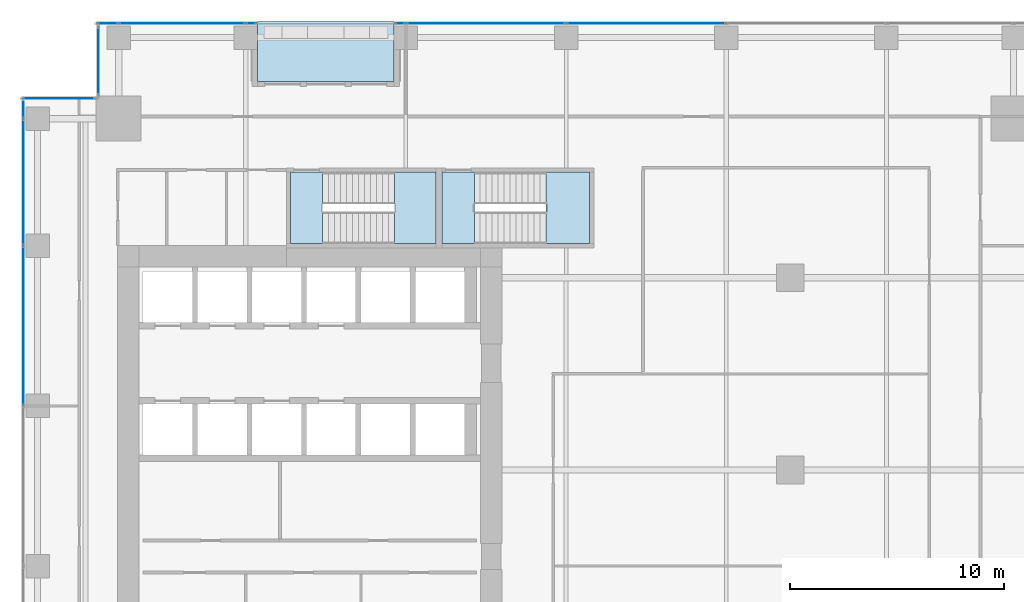
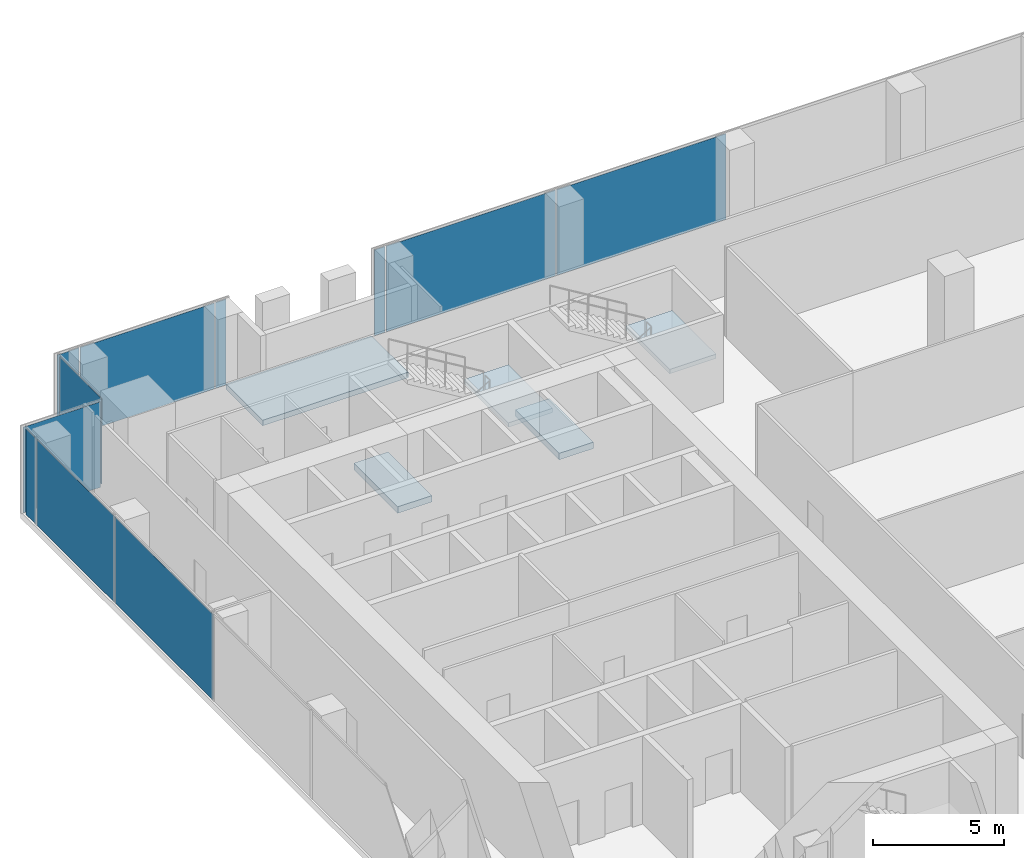
# One storey, part 26 of 34: 11 plates, 5 slabs, 7 elements without a shape of their own.
"""IFC4 building model written with IfcOpenShell, lengths in metres."""

from ifc_helpers import new_model, si_unit, direction, frame, origin, origin_2d, place, context, subcontext, project, spatial, polyline, rectangle, outline, extrude, source, transform, mapped, material, layer, layer_set, type_object, element, aggregate, save


model = new_model("IFC4")

# Units and contexts
model_context = context("Model", 3, precision=1e-05, world=origin(), true_north=direction((0.0, 1.0)))
body_context = subcontext(model_context, "Body", "Model", "MODEL_VIEW")
ifc_project = project(units=[si_unit("LENGTHUNIT", "METRE"), si_unit("AREAUNIT", "SQUARE_METRE"), si_unit("VOLUMEUNIT", "CUBIC_METRE"), si_unit("PLANEANGLEUNIT", "RADIAN"), si_unit("MASSUNIT", "GRAM", prefix="KILO")], contexts=[model_context])

# Site, building, storey
site_placement = place(None, origin())
site = spatial("IfcSite", under=ifc_project, at=site_placement, CompositionType="ELEMENT")
building_placement = place(site_placement, origin())
building = spatial("IfcBuilding", under=site, at=building_placement, Name="Khomas Fold Tower", CompositionType="ELEMENT")
storey_placement = place(building_placement, frame((0.0, 0.0, 110.300048828125)))
storey = spatial("IfcBuildingStorey", under=building, at=storey_placement, Name="L23", CompositionType="ELEMENT", Elevation=110.300048828125)

# Curtain wall, plate
ifc_material_1 = material(Name="Aluminium framed double glazing", Category="aluminium")
curtain_wall_type = type_object("IfcCurtainWallType", Name="SK-Unitised clear-glass wall, growing floors CW1", PredefinedType="NOTDEFINED", material=ifc_material_1)
curtain_wall_1_placement = place(storey_placement, origin())
curtain_wall_1 = element("IfcCurtainWall", 1, at=curtain_wall_1_placement, inside=storey, type_object=curtain_wall_type, Name="CW1 run L23 09-0", PredefinedType="NOTDEFINED")
ifc_material_2 = material(Name="Clear double glazed unit")
ifc_layer_1 = layer(ifc_material_2, 0.031982421875)
ifc_layer_set_1 = layer_set([ifc_layer_1], Name="Clear double glazed unit")
plate_type = type_object("IfcPlateType", Name="SK-Unitised clear-glass wall, growing floors glass panel CW1-P", PredefinedType="CURTAIN_PANEL", material=ifc_layer_set_1)
shared_shape_1 = source(origin(), body_context, "Body", "SweptSolid", [
    extrude(rectangle(XDim=0.760009765625, YDim=0.031982421875, at=origin_2d()), origin(), (0.0, 0.0, 1.0), 3.97998046875),
])
plate_1_placement = place(storey_placement, frame((1.60009765625, 48.360107421875, 0.0), z_axis=(0.0, 0.0, 1.0), x_axis=(0.0, -1.0, 0.0)))
plate_1 = element("IfcPlate", 2, at=plate_1_placement, type_object=plate_type, Name="CW1 glass panel 1", PredefinedType="CURTAIN_PANEL", context=body_context, shape_type="MappedRepresentation", body=[
    mapped(shared_shape_1, transform((0.0, 0.0, 0.0))),
])

curtain_wall_2_placement = place(storey_placement, origin())
curtain_wall_2 = element("IfcCurtainWall", 3, at=curtain_wall_2_placement, inside=storey, type_object=curtain_wall_type, Name="CW1 run L23 06-1", PredefinedType="NOTDEFINED")
shared_shape_2 = source(origin(), body_context, "Body", "SweptSolid", [
    extrude(rectangle(XDim=5.889892578125, YDim=0.031982421875, at=origin_2d()), origin(), (0.0, 0.0, 1.0), 3.97998046875),
])
plate_2_placement = place(storey_placement, frame((9.02490234375, 52.39990234375, 0.0), z_axis=(0.0, 0.0, 1.0), x_axis=(-1.0, 0.0, 0.0)))
plate_2 = element("IfcPlate", 4, at=plate_2_placement, type_object=plate_type, Name="CW1 glass panel 2", PredefinedType="CURTAIN_PANEL", context=body_context, shape_type="MappedRepresentation", body=[
    mapped(shared_shape_2, transform((0.0, 0.0, 0.0))),
])

# Plate
plate_3_placement = place(storey_placement, frame((1.60009765625, 44.97509765625, 0.0), z_axis=(0.0, 0.0, 1.0), x_axis=(0.0, -1.0, 0.0)))
plate_3 = element("IfcPlate", 5, at=plate_3_placement, type_object=plate_type, Name="CW1 glass panel 2", PredefinedType="CURTAIN_PANEL", context=body_context, shape_type="MappedRepresentation", body=[
    mapped(shared_shape_2, transform((0.0, 0.0, 0.0))),
])

# Curtain wall, plates
curtain_wall_3_placement = place(storey_placement, origin())
curtain_wall_3 = element("IfcCurtainWall", 6, at=curtain_wall_3_placement, inside=storey, type_object=curtain_wall_type, Name="CW1 run L23 06-0", PredefinedType="NOTDEFINED")
shared_shape_3 = source(origin(), body_context, "Body", "SweptSolid", [
    extrude(rectangle(XDim=7.43994140625, YDim=0.031982421875, at=origin_2d()), origin(), (0.0, 0.0, 1.0), 3.97998046875),
])
plate_4_placement = place(storey_placement, frame((30.75, 52.39990234375, 0.0), z_axis=(0.0, 0.0, 1.0), x_axis=(-1.0, 0.0, 0.0)))
plate_4 = element("IfcPlate", 7, at=plate_4_placement, type_object=plate_type, Name="CW1 glass panel 4", PredefinedType="CURTAIN_PANEL", context=body_context, shape_type="MappedRepresentation", body=[
    mapped(shared_shape_3, transform((0.0, 0.0, 0.0))),
])
plate_5_placement = place(storey_placement, frame((23.25, 52.39990234375, 0.0), z_axis=(0.0, 0.0, 1.0), x_axis=(-1.0, 0.0, 0.0)))
plate_5 = element("IfcPlate", 8, at=plate_5_placement, type_object=plate_type, Name="CW1 glass panel 5", PredefinedType="CURTAIN_PANEL", context=body_context, shape_type="MappedRepresentation", body=[
    mapped(shared_shape_3, transform((0.0, 0.0, 0.0))),
])

# Plate
plate_6_placement = place(storey_placement, frame((1.60009765625, 38.25, 0.0), z_axis=(0.0, 0.0, 1.0), x_axis=(0.0, -1.0, 0.0)))
plate_6 = element("IfcPlate", 9, at=plate_6_placement, type_object=plate_type, Name="CW1 glass panel 3", PredefinedType="CURTAIN_PANEL", context=body_context, shape_type="MappedRepresentation", body=[
    mapped(shared_shape_3, transform((0.0, 0.0, 0.0))),
])

aggregate(curtain_wall_1, [plate_1, plate_3, plate_6])

shared_shape_4 = source(origin(), body_context, "Body", "SweptSolid", [
    extrude(rectangle(XDim=0.9599609375, YDim=0.031982421875, at=origin_2d()), origin(), (0.0, 0.0, 1.0), 3.97998046875),
])
plate_7_placement = place(storey_placement, frame((5.5400390625, 52.39990234375, 0.0), z_axis=(0.0, 0.0, 1.0), x_axis=(-1.0, 0.0, 0.0)))
plate_7 = element("IfcPlate", 10, at=plate_7_placement, type_object=plate_type, Name="CW1 glass panel 3", PredefinedType="CURTAIN_PANEL", context=body_context, shape_type="MappedRepresentation", body=[
    mapped(shared_shape_4, transform((0.0, 0.0, 0.0))),
])

# Curtain wall, plate
curtain_wall_4_placement = place(storey_placement, origin())
curtain_wall_4 = element("IfcCurtainWall", 11, at=curtain_wall_4_placement, inside=storey, type_object=curtain_wall_type, Name="CW1 corner return L23 07", PredefinedType="NOTDEFINED")
shared_shape_5 = source(origin(), body_context, "Body", "SweptSolid", [
    extrude(rectangle(XDim=3.179931640625, YDim=0.031982421875, at=origin_2d()), origin(), (0.0, 0.0, 1.0), 3.97998046875),
])
plate_8_placement = place(storey_placement, frame((5.10009765625, 50.64990234375, 0.0), z_axis=(0.0, 0.0, 1.0), x_axis=(0.0, -1.0, 0.0)))
plate_8 = element("IfcPlate", 12, at=plate_8_placement, type_object=plate_type, Name="CW1 glass panel 1", PredefinedType="CURTAIN_PANEL", context=body_context, shape_type="MappedRepresentation", body=[
    mapped(shared_shape_5, transform((0.0, 0.0, 0.0))),
])
aggregate(curtain_wall_4, [plate_8])

curtain_wall_5_placement = place(storey_placement, origin())
curtain_wall_5 = element("IfcCurtainWall", 13, at=curtain_wall_5_placement, inside=storey, type_object=curtain_wall_type, Name="CW1 corner return L23 08", PredefinedType="NOTDEFINED")
shared_shape_6 = source(origin(), body_context, "Body", "SweptSolid", [
    extrude(rectangle(XDim=3.3798828125, YDim=0.031982421875, at=origin_2d()), origin(), (0.0, 0.0, 1.0), 3.97998046875),
])
plate_9_placement = place(storey_placement, frame((3.25, 48.89990234375, 0.0), z_axis=(0.0, 0.0, 1.0), x_axis=(-1.0, 0.0, 0.0)))
plate_9 = element("IfcPlate", 14, at=plate_9_placement, type_object=plate_type, Name="CW1 glass panel 1", PredefinedType="CURTAIN_PANEL", context=body_context, shape_type="MappedRepresentation", body=[
    mapped(shared_shape_6, transform((0.0, 0.0, 0.0))),
])
aggregate(curtain_wall_5, [plate_9])

# Plate
shared_shape_7 = source(origin(), body_context, "Body", "SweptSolid", [
    extrude(rectangle(XDim=0.4599609375, YDim=0.031982421875, at=origin_2d()), origin(), (0.0, 0.0, 1.0), 3.97998046875),
])
plate_10_placement = place(storey_placement, frame((19.239990234375, 52.39990234375, 0.0), z_axis=(0.0, 0.0, 1.0), x_axis=(-1.0, 0.0, 0.0)))
plate_10 = element("IfcPlate", 15, at=plate_10_placement, type_object=plate_type, Name="CW1 glass panel 6", PredefinedType="CURTAIN_PANEL", context=body_context, shape_type="MappedRepresentation", body=[
    mapped(shared_shape_7, transform((0.0, 0.0, 0.0))),
])

aggregate(curtain_wall_3, [plate_4, plate_5, plate_10])

plate_11_placement = place(storey_placement, frame((12.260009765625, 52.39990234375, 0.0), z_axis=(0.0, 0.0, 1.0), x_axis=(-1.0, 0.0, 0.0)))
plate_11 = element("IfcPlate", 16, at=plate_11_placement, type_object=plate_type, Name="CW1 glass panel 1", PredefinedType="CURTAIN_PANEL", context=body_context, shape_type="MappedRepresentation", body=[
    mapped(shared_shape_7, transform((0.0, 0.0, 0.0))),
])

aggregate(curtain_wall_2, [plate_11, plate_2, plate_7])

# Slab
ifc_material_3 = material(Name="Concrete C40/50", Category="concrete")
ifc_layer_2 = layer(ifc_material_3, 0.2548828125)
ifc_layer_set_2 = layer_set([ifc_layer_2], Name="Concrete C40/50")
slab_type_1 = type_object("IfcSlabType", Name="BL-Balcony deck 255", PredefinedType="FLOOR", material=ifc_layer_set_2)
shared_shape_8 = source(origin(), body_context, "Body", "SweptSolid", [
    extrude(outline(polyline([(12.550048828125, 49.699951171875), (18.949951171875, 49.699951171875), (18.949951171875, 52.5), (12.550048828125, 52.5), (12.550048828125, 49.699951171875)])), origin(), (0.0, 0.0, 1.0), 0.2548828125),
])
slab_1_placement = place(storey_placement, frame((0.0, 0.0, -0.300048828125)))
element("IfcSlab", 17, at=slab_1_placement, inside=storey, type_object=slab_type_1, Name="Balcony deck BAL-L23-N1", PredefinedType="FLOOR", context=body_context, shape_type="MappedRepresentation", body=[
    mapped(shared_shape_8, transform((0.0, 0.0, 0.0))),
])

# Stair, slab
ifc_material_4 = material(Name="Concrete C40/50", Category="concrete")
stair_type_1 = type_object("IfcStairType", Name="Stair ST1", PredefinedType="HALF_TURN_STAIR", material=ifc_material_4)
stair_1_placement = place(storey_placement, origin())
stair_1 = element("IfcStair", 18, at=stair_1_placement, inside=storey, type_object=stair_type_1, Name="L23 ST1", PredefinedType="HALF_TURN_STAIR")
ifc_material_5 = material(Name="Concrete C40/50", Category="concrete")
ifc_layer_3 = layer(ifc_material_5, 0.199951171875)
ifc_layer_set_3 = layer_set([ifc_layer_3], Name="Concrete C40/50")
slab_type_2 = type_object("IfcSlabType", Name="Stair landing 200", PredefinedType="LANDING", material=ifc_layer_set_3)
shared_shape_9 = source(origin(), body_context, "Body", "SweptSolid", [
    extrude(outline(polyline([(18.9599609375, 42.10009765625), (20.89990234375, 42.10009765625), (20.89990234375, 45.449951171875), (18.9599609375, 45.449951171875), (18.9599609375, 42.10009765625)])), origin(), (0.0, 0.0, 1.0), 0.199951171875),
])
slab_2_placement = place(storey_placement, frame((0.0, 0.0, 2.0)))
slab_2 = element("IfcSlab", 19, at=slab_2_placement, type_object=slab_type_2, Name="ST1 landing 1", PredefinedType="LANDING", context=body_context, shape_type="MappedRepresentation", body=[
    mapped(shared_shape_9, transform((0.0, 0.0, 0.0))),
])
aggregate(stair_1, [slab_2])

# Slab
ifc_material_6 = material(Name="Concrete C40/50", Category="concrete")
ifc_layer_4 = layer(ifc_material_6, 0.300048828125)
ifc_layer_set_4 = layer_set([ifc_layer_4], Name="Concrete C40/50")
slab_type_3 = type_object("IfcSlabType", Name="Stair floor landing 300", PredefinedType="LANDING", material=ifc_layer_set_4)
shared_shape_10 = source(origin(), body_context, "Body", "SweptSolid", [
    extrude(outline(polyline([(15.60009765625, 42.10009765625), (14.10009765625, 42.10009765625), (14.10009765625, 45.449951171875), (15.60009765625, 45.449951171875), (15.60009765625, 42.10009765625)])), origin(), (0.0, 0.0, 1.0), 0.300048828125),
])
slab_3_placement = place(storey_placement, frame((0.0, 0.0, -0.300048828125)))
element("IfcSlab", 20, at=slab_3_placement, inside=storey, type_object=slab_type_3, Name="ST1 floor landing", PredefinedType="LANDING", context=body_context, shape_type="MappedRepresentation", body=[
    mapped(shared_shape_10, transform((0.0, 0.0, 0.0))),
])

# Stair, slab
ifc_material_7 = material(Name="Concrete C40/50", Category="concrete")
stair_type_2 = type_object("IfcStairType", Name="Stair ST3", PredefinedType="HALF_TURN_STAIR", material=ifc_material_7)
stair_2_placement = place(storey_placement, origin())
stair_2 = element("IfcStair", 21, at=stair_2_placement, inside=storey, type_object=stair_type_2, Name="L23 ST3", PredefinedType="HALF_TURN_STAIR")
shared_shape_11 = source(origin(), body_context, "Body", "SweptSolid", [
    extrude(outline(polyline([(26.06005859375, 42.10009765625), (28.10009765625, 42.10009765625), (28.10009765625, 45.449951171875), (26.06005859375, 45.449951171875), (26.06005859375, 42.10009765625)])), origin(), (0.0, 0.0, 1.0), 0.199951171875),
])
slab_4_placement = place(storey_placement, frame((0.0, 0.0, 2.0)))
slab_4 = element("IfcSlab", 22, at=slab_4_placement, type_object=slab_type_2, Name="ST3 landing 1", PredefinedType="LANDING", context=body_context, shape_type="MappedRepresentation", body=[
    mapped(shared_shape_11, transform((0.0, 0.0, 0.0))),
])
aggregate(stair_2, [slab_4])

# Slab
shared_shape_12 = source(origin(), body_context, "Body", "SweptSolid", [
    extrude(outline(polyline([(22.699951171875, 42.10009765625), (21.199951171875, 42.10009765625), (21.199951171875, 45.449951171875), (22.699951171875, 45.449951171875), (22.699951171875, 42.10009765625)])), origin(), (0.0, 0.0, 1.0), 0.300048828125),
])
slab_5_placement = place(storey_placement, frame((0.0, 0.0, -0.300048828125)))
element("IfcSlab", 23, at=slab_5_placement, inside=storey, type_object=slab_type_3, Name="ST3 floor landing", PredefinedType="LANDING", context=body_context, shape_type="MappedRepresentation", body=[
    mapped(shared_shape_12, transform((0.0, 0.0, 0.0))),
])

save(model, "model.ifc")
